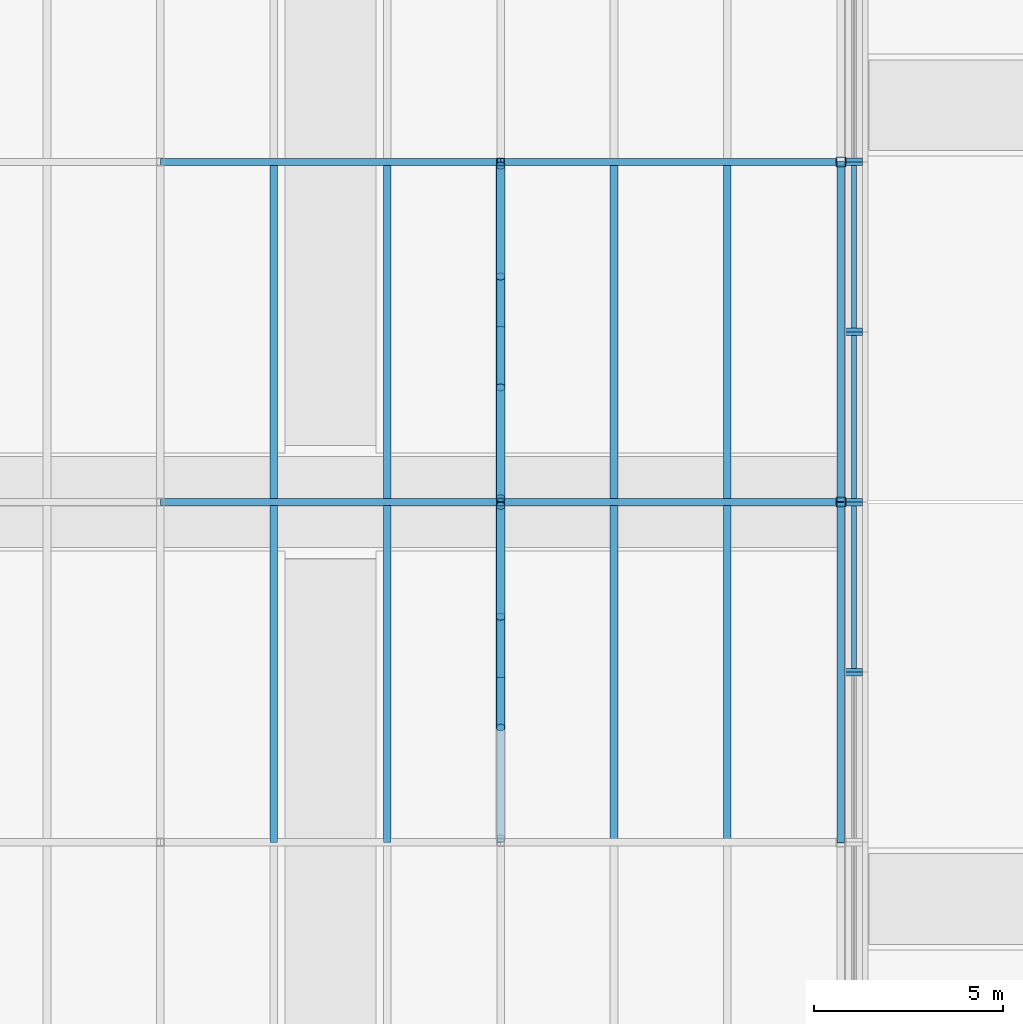
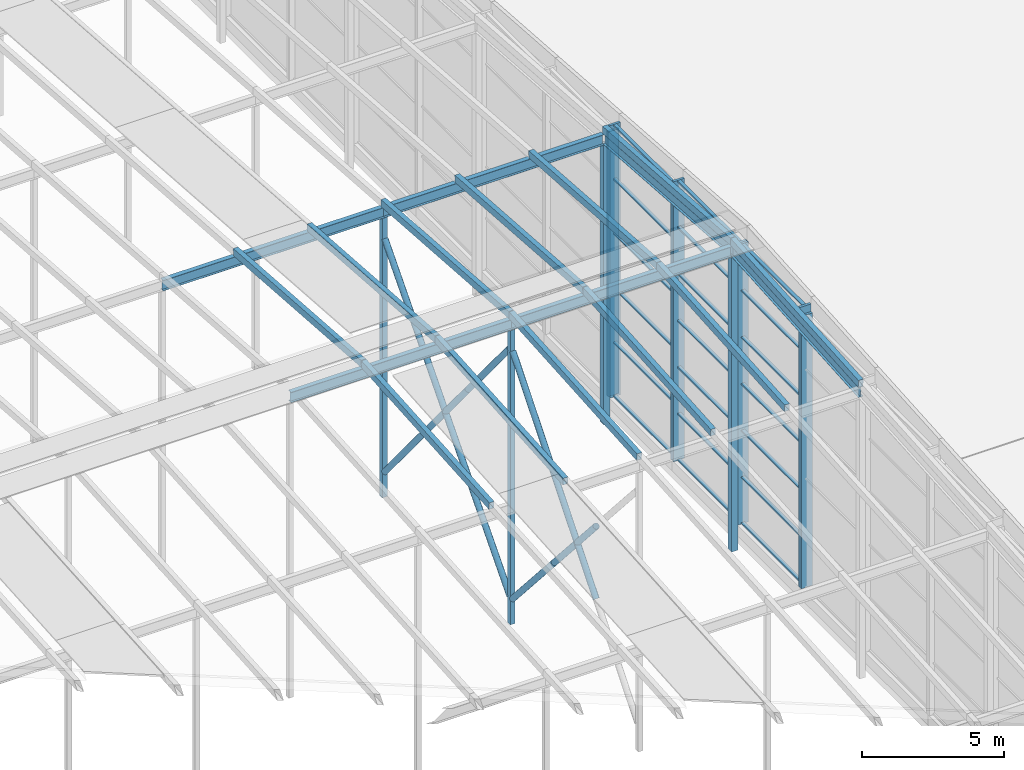
# One storey, part 28 of 84: 54 members, 6 beams, 5 elements without a shape of their own.
"""IFC4 building model written with IfcOpenShell, lengths in metres."""

from ifc_helpers import new_model, si_unit, direction, frame, origin, origin_2d, place, context, subcontext, project, spatial, rectangle, hollow_rectangle, hollow_circle, i_section, extrude, material, material_profile, profile_set, type_object, element, aggregate, save


model = new_model("IFC4")

# Units and contexts
model_context = context("Model", 3, precision=1e-05, world=origin(), true_north=direction((0.0, 1.0)))
body_context = subcontext(model_context, "Body", "Model", "MODEL_VIEW")
ifc_project = project(units=[si_unit("LENGTHUNIT", "METRE"), si_unit("AREAUNIT", "SQUARE_METRE"), si_unit("VOLUMEUNIT", "CUBIC_METRE"), si_unit("PLANEANGLEUNIT", "RADIAN"), si_unit("MASSUNIT", "GRAM", prefix="KILO")], contexts=[model_context])

# Site, building, storey
site_placement = place(None, origin())
site = spatial("IfcSite", under=ifc_project, at=site_placement, CompositionType="ELEMENT")
building_placement = place(site_placement, origin())
building = spatial("IfcBuilding", under=site, at=building_placement, Name="Silverbay Arena", CompositionType="ELEMENT")
storey_placement = place(building_placement, frame((0.0, 0.0, 47.10009765625)))
storey = spatial("IfcBuildingStorey", under=building, at=storey_placement, Name="ROOF", CompositionType="ELEMENT", Elevation=47.10009765625)

# Curtain wall, member
ifc_material_1 = material(Name="Aluminium framed glazing", Category="aluminium")
curtain_wall_type_1 = type_object("IfcCurtainWallType", Name="Curtain wall crown 4500 x 11700", PredefinedType="NOTDEFINED", material=ifc_material_1)
curtain_wall_1_placement = place(storey_placement, origin())
curtain_wall_1 = element("IfcCurtainWall", 1, at=curtain_wall_1_placement, inside=storey, type_object=curtain_wall_type_1, Name="ROOF CROWN CURTAIN WALL east bay 12", PredefinedType="NOTDEFINED")
ifc_material_2 = material(Name="Aluminium", Category="aluminium")
ifc_material_profile_1 = material_profile(ifc_material_2, rectangle(XDim=0.449951171875, YDim=0.10009765625, at=origin_2d()), Name="Mullion 100 x 450")
ifc_profile_set_1 = profile_set([ifc_material_profile_1], Name="Aluminium")
member_type_1 = type_object("IfcMemberType", Name="Mullion 100 x 450", PredefinedType="MULLION", material=ifc_profile_set_1)
placement = place(building_placement, frame((0.0, 0.0, 33.5)))
member_1_placement = place(placement, frame((180.35009765625, 76.449951171875, 14.050048828125), z_axis=(0.0, 0.0, 1.0), x_axis=(-1.0, 0.0, 0.0)))
member_1 = element("IfcMember", 2, at=member_1_placement, type_object=member_type_1, Name="CW74 mullion 2", PredefinedType="MULLION", context=body_context, shape_type="SweptSolid", body=[
    extrude(rectangle(XDim=0.449951171875, YDim=0.10009765625, at=origin_2d()), origin(), (0.0, 0.0, 1.0), 11.699951171875),
])
aggregate(curtain_wall_1, [member_1])

# Curtain wall, members
ifc_material_3 = material(Name="Aluminium framed glazing", Category="aluminium")
curtain_wall_type_2 = type_object("IfcCurtainWallType", Name="Curtain wall crown 4500 x 12025", PredefinedType="NOTDEFINED", material=ifc_material_3)
curtain_wall_2_placement = place(storey_placement, origin())
curtain_wall_2 = element("IfcCurtainWall", 3, at=curtain_wall_2_placement, inside=storey, type_object=curtain_wall_type_2, Name="ROOF CROWN CURTAIN WALL east bay 13", PredefinedType="NOTDEFINED")
member_2_placement = place(placement, frame((180.35009765625, 76.550048828125, 14.050048828125), z_axis=(0.0, 0.0, 1.0), x_axis=(-1.0, 0.0, 0.0)))
member_2 = element("IfcMember", 4, at=member_2_placement, type_object=member_type_1, Name="CW75 mullion 1", PredefinedType="MULLION", context=body_context, shape_type="SweptSolid", body=[
    extrude(rectangle(XDim=0.449951171875, YDim=0.10009765625, at=origin_2d()), origin(), (0.0, 0.0, 1.0), 12.02490234375),
])
member_3_placement = place(placement, frame((180.35009765625, 80.949951171875, 14.050048828125), z_axis=(0.0, 0.0, 1.0), x_axis=(-1.0, 0.0, 0.0)))
member_3 = element("IfcMember", 5, at=member_3_placement, type_object=member_type_1, Name="CW75 mullion 2", PredefinedType="MULLION", context=body_context, shape_type="SweptSolid", body=[
    extrude(rectangle(XDim=0.449951171875, YDim=0.10009765625, at=origin_2d()), origin(), (0.0, 0.0, 1.0), 12.02490234375),
])

curtain_wall_3_placement = place(storey_placement, origin())
curtain_wall_3 = element("IfcCurtainWall", 6, at=curtain_wall_3_placement, inside=storey, type_object=curtain_wall_type_2, Name="ROOF CROWN CURTAIN WALL east bay 14", PredefinedType="NOTDEFINED")
member_4_placement = place(placement, frame((180.35009765625, 81.050048828125, 14.050048828125), z_axis=(0.0, 0.0, 1.0), x_axis=(-1.0, 0.0, 0.0)))
member_4 = element("IfcMember", 7, at=member_4_placement, type_object=member_type_1, Name="CW75 mullion 1", PredefinedType="MULLION", context=body_context, shape_type="SweptSolid", body=[
    extrude(rectangle(XDim=0.449951171875, YDim=0.10009765625, at=origin_2d()), origin(), (0.0, 0.0, 1.0), 12.02490234375),
])
member_5_placement = place(placement, frame((180.35009765625, 85.449951171875, 14.050048828125), z_axis=(0.0, 0.0, 1.0), x_axis=(-1.0, 0.0, 0.0)))
member_5 = element("IfcMember", 8, at=member_5_placement, type_object=member_type_1, Name="CW75 mullion 2", PredefinedType="MULLION", context=body_context, shape_type="SweptSolid", body=[
    extrude(rectangle(XDim=0.449951171875, YDim=0.10009765625, at=origin_2d()), origin(), (0.0, 0.0, 1.0), 12.02490234375),
])

curtain_wall_4_placement = place(storey_placement, origin())
curtain_wall_4 = element("IfcCurtainWall", 9, at=curtain_wall_4_placement, inside=storey, type_object=curtain_wall_type_1, Name="ROOF CROWN CURTAIN WALL east bay 15", PredefinedType="NOTDEFINED")
member_6_placement = place(placement, frame((180.35009765625, 85.550048828125, 14.050048828125), z_axis=(0.0, 0.0, 1.0), x_axis=(-1.0, 0.0, 0.0)))
member_6 = element("IfcMember", 10, at=member_6_placement, type_object=member_type_1, Name="CW74 mullion 1", PredefinedType="MULLION", context=body_context, shape_type="SweptSolid", body=[
    extrude(rectangle(XDim=0.449951171875, YDim=0.10009765625, at=origin_2d()), origin(), (0.0, 0.0, 1.0), 11.699951171875),
])
member_7_placement = place(placement, frame((180.35009765625, 89.949951171875, 14.050048828125), z_axis=(0.0, 0.0, 1.0), x_axis=(-1.0, 0.0, 0.0)))
member_7 = element("IfcMember", 11, at=member_7_placement, type_object=member_type_1, Name="CW74 mullion 2", PredefinedType="MULLION", context=body_context, shape_type="SweptSolid", body=[
    extrude(rectangle(XDim=0.449951171875, YDim=0.10009765625, at=origin_2d()), origin(), (0.0, 0.0, 1.0), 11.699951171875),
])

# Curtain wall, member
ifc_material_4 = material(Name="Aluminium framed glazing", Category="aluminium")
curtain_wall_type_3 = type_object("IfcCurtainWallType", Name="Curtain wall crown 4500 x 11375", PredefinedType="NOTDEFINED", material=ifc_material_4)
curtain_wall_5_placement = place(storey_placement, origin())
curtain_wall_5 = element("IfcCurtainWall", 12, at=curtain_wall_5_placement, inside=storey, type_object=curtain_wall_type_3, Name="ROOF CROWN CURTAIN WALL east bay 16", PredefinedType="NOTDEFINED")
member_8_placement = place(placement, frame((180.35009765625, 90.050048828125, 14.050048828125), z_axis=(0.0, 0.0, 1.0), x_axis=(-1.0, 0.0, 0.0)))
member_8 = element("IfcMember", 13, at=member_8_placement, type_object=member_type_1, Name="CW73 mullion 1", PredefinedType="MULLION", context=body_context, shape_type="SweptSolid", body=[
    extrude(rectangle(XDim=0.449951171875, YDim=0.10009765625, at=origin_2d()), origin(), (0.0, 0.0, 1.0), 11.375),
])
aggregate(curtain_wall_5, [member_8])

# Members
ifc_material_5 = material(Name="Steel S355", Category="steel")
ifc_material_profile_2 = material_profile(ifc_material_5, hollow_rectangle(XDim=0.199951171875, YDim=0.300048828125, WallThickness=0.00634765625, at=origin_2d()), Name="RHS 300x200x6.3")
ifc_profile_set_2 = profile_set([ifc_material_profile_2], Name="Steel S355")
member_type_2 = type_object("IfcMemberType", Name="Purlin RHS 300x200x6.3", PredefinedType="PURLIN", material=ifc_profile_set_2)
for number, where, z_axis, x_axis, name in (
    (14, (165.0, 72.0, 11.99951171875), (0.0, 0.997402911363, 0.072023832195), (-1.0, 0.0, 0.0), "ROOF PURLIN crown line 29 bay 06"),
    (15, (165.0, 81.0, 12.6494140625), (0.0, 0.997402911363, -0.072023832195), (-1.0, 0.0, 0.0), "ROOF PURLIN crown line 29 bay 07"),
    (16, (168.0, 72.0, 11.99951171875), (0.0, 0.997402911363, 0.072023832195), (-1.0, 0.0, 0.0), "ROOF PURLIN crown line 30 bay 06"),
    (17, (168.0, 81.0, 12.6494140625), (0.0, 0.997402911363, -0.072023832195), (-1.0, 0.0, 0.0), "ROOF PURLIN crown line 30 bay 07"),
    (18, (171.0, 72.0, 11.99951171875), (0.0, 0.997402911363, 0.072023832195), (-1.0, 0.0, 0.0), "ROOF PURLIN crown line 31 bay 06"),
    (19, (171.0, 81.0, 12.6494140625), (0.0, 0.997402911363, -0.072023832195), (-1.0, 0.0, 0.0), "ROOF PURLIN crown line 31 bay 07"),
    (20, (174.0, 72.0, 11.99951171875), (0.0, 0.997402911363, 0.072023832195), (-1.0, 0.0, 0.0), "ROOF PURLIN crown line 32 bay 06"),
    (21, (174.0, 81.0, 12.6494140625), (0.0, 0.997402911363, -0.072023832195), (-1.0, 0.0, 0.0), "ROOF PURLIN crown line 32 bay 07"),
    (22, (177.0, 72.0, 11.99951171875), (0.0, 0.997402911363, 0.072023832195), (-1.0, 0.0, 0.0), "ROOF PURLIN crown line 33 bay 06"),
    (23, (177.0, 81.0, 12.6494140625), (0.0, 0.997402911363, -0.072023832195), (-1.0, 0.0, 0.0), "ROOF PURLIN crown line 33 bay 07"),
):
    element("IfcMember", number, at=place(storey_placement, frame(where, z_axis=z_axis, x_axis=x_axis)), inside=storey, type_object=member_type_2, Name=name, PredefinedType="PURLIN", context=body_context, shape_type="SweptSolid", body=[
        extrude(hollow_rectangle(XDim=0.199951171875, YDim=0.300048828125, WallThickness=0.00634765625, at=origin_2d()), origin(), (0.0, 0.0, 1.0), 9.0234375),
    ])
ifc_material_6 = material(Name="Steel S355", Category="steel")
ifc_material_profile_3 = material_profile(ifc_material_6, hollow_rectangle(XDim=0.199951171875, YDim=0.300048828125, WallThickness=0.008056640625, at=origin_2d()), Name="RHS 300x200x8")
ifc_profile_set_3 = profile_set([ifc_material_profile_3], Name="Steel S355")
member_type_3 = type_object("IfcMemberType", Name="Purlin RHS 300x200x8", PredefinedType="PURLIN", material=ifc_profile_set_3)
for number, where, z_axis, x_axis, name in (
    (24, (180.0, 72.0, 11.99951171875), (0.0, 0.997402911363, 0.072023832195), (-1.0, 0.0, 0.0), "ROOF PURLIN crown line 34 bay 06"),
    (25, (180.0, 81.0, 12.6494140625), (0.0, 0.997402911363, -0.072023832195), (-1.0, 0.0, 0.0), "ROOF PURLIN crown line 34 bay 07"),
):
    element("IfcMember", number, at=place(storey_placement, frame(where, z_axis=z_axis, x_axis=x_axis)), inside=storey, type_object=member_type_3, Name=name, PredefinedType="PURLIN", context=body_context, shape_type="SweptSolid", body=[
        extrude(hollow_rectangle(XDim=0.199951171875, YDim=0.300048828125, WallThickness=0.008056640625, at=origin_2d()), origin(), (0.0, 0.0, 1.0), 9.0234375),
    ])

# Beams
ifc_material_7 = material(Name="Steel S355", Category="steel")
ifc_material_profile_4 = material_profile(ifc_material_7, i_section(OverallWidth=0.18994140625, OverallDepth=0.453369140625, WebThickness=0.008544921875, FlangeThickness=0.0126953125, at=origin_2d()), Name="UB 457x191x67")
ifc_profile_set_4 = profile_set([ifc_material_profile_4], Name="Steel S355")
beam_type = type_object("IfcBeamType", Name="Ring beam UB 457x191x67", PredefinedType="BEAM", material=ifc_profile_set_4)
beam_1_placement = place(storey_placement, frame((162.0, 81.0, 12.2724609375), z_axis=(1.0, 0.0, 0.0), x_axis=(0.0, 1.0, 0.0)))
element("IfcBeam", 26, at=beam_1_placement, inside=storey, type_object=beam_type, Name="RING BEAM crown row 07 19-20", PredefinedType="BEAM", context=body_context, shape_type="SweptSolid", body=[
    extrude(i_section(OverallWidth=0.18994140625, OverallDepth=0.453369140625, WebThickness=0.008544921875, FlangeThickness=0.0126953125, at=origin_2d()), origin(), (0.0, 0.0, 1.0), 9.0),
])
beam_2_placement = place(storey_placement, frame((171.0, 81.0, 12.2724609375), z_axis=(1.0, 0.0, 0.0), x_axis=(0.0, 1.0, 0.0)))
element("IfcBeam", 27, at=beam_2_placement, inside=storey, type_object=beam_type, Name="RING BEAM crown row 07 20-21", PredefinedType="BEAM", context=body_context, shape_type="SweptSolid", body=[
    extrude(i_section(OverallWidth=0.18994140625, OverallDepth=0.453369140625, WebThickness=0.008544921875, FlangeThickness=0.0126953125, at=origin_2d()), origin(), (0.0, 0.0, 1.0), 8.905029296875),
])
beam_3_placement = place(storey_placement, frame((162.0, 90.0, 11.622314453125), z_axis=(1.0, 0.0, 0.0), x_axis=(0.0, 1.0, 0.0)))
element("IfcBeam", 28, at=beam_3_placement, inside=storey, type_object=beam_type, Name="RING BEAM crown row 08 19-20", PredefinedType="BEAM", context=body_context, shape_type="SweptSolid", body=[
    extrude(i_section(OverallWidth=0.18994140625, OverallDepth=0.453369140625, WebThickness=0.008544921875, FlangeThickness=0.0126953125, at=origin_2d()), origin(), (0.0, 0.0, 1.0), 9.0),
])
beam_4_placement = place(storey_placement, frame((171.0, 90.0, 11.622314453125), z_axis=(1.0, 0.0, 0.0), x_axis=(0.0, 1.0, 0.0)))
element("IfcBeam", 29, at=beam_4_placement, inside=storey, type_object=beam_type, Name="RING BEAM crown row 08 20-21", PredefinedType="BEAM", context=body_context, shape_type="SweptSolid", body=[
    extrude(i_section(OverallWidth=0.18994140625, OverallDepth=0.453369140625, WebThickness=0.008544921875, FlangeThickness=0.0126953125, at=origin_2d()), origin(), (0.0, 0.0, 1.0), 8.905029296875),
])
for number, where, z_axis, x_axis, name in (
    (30, (180.0, 72.0, 11.622314453125), (0.0, 0.997400967367, 0.07205074805), (-1.0, 0.0, 0.0), "RING BEAM crown east edge 06"),
    (31, (180.0, 81.0, 12.2724609375), (0.0, 0.997400967367, -0.07205074805), (-1.0, 0.0, 0.0), "RING BEAM crown east edge 07"),
):
    element("IfcBeam", number, at=place(storey_placement, frame(where, z_axis=z_axis, x_axis=x_axis)), inside=storey, type_object=beam_type, Name=name, PredefinedType="BEAM", context=body_context, shape_type="SweptSolid", body=[
        extrude(i_section(OverallWidth=0.18994140625, OverallDepth=0.453369140625, WebThickness=0.008544921875, FlangeThickness=0.0126953125, at=origin_2d()), origin(), (0.0, 0.0, 1.0), 9.0234375),
    ])

# Members
ifc_material_8 = material(Name="Steel S355", Category="steel")
ifc_material_profile_5 = material_profile(ifc_material_8, hollow_rectangle(XDim=0.199951171875, YDim=0.199951171875, WallThickness=0.008056640625, at=origin_2d()), Name="SHS 200x200x8")
ifc_profile_set_5 = profile_set([ifc_material_profile_5], Name="Steel S355")
member_type_4 = type_object("IfcMemberType", Name="Roof post SHS 200x200x8", PredefinedType="POST", material=ifc_profile_set_5)
member_9_placement = place(storey_placement, frame((171.0, 81.0, -0.60009765625), z_axis=(0.0, 0.0, 1.0), x_axis=(1.0, 0.0, 0.0)))
element("IfcMember", 32, at=member_9_placement, inside=storey, type_object=member_type_4, Name="ROOF CROWN POST 20 row 07", PredefinedType="POST", context=body_context, shape_type="SweptSolid", body=[
    extrude(hollow_rectangle(XDim=0.199951171875, YDim=0.199951171875, WallThickness=0.008056640625, at=origin_2d()), origin(), (0.0, 0.0, 1.0), 12.645751953125),
])
member_10_placement = place(storey_placement, frame((171.0, 90.0, -0.60009765625), z_axis=(0.0, 0.0, 1.0), x_axis=(1.0, 0.0, 0.0)))
element("IfcMember", 33, at=member_10_placement, inside=storey, type_object=member_type_4, Name="ROOF CROWN POST 20 row 08", PredefinedType="POST", context=body_context, shape_type="SweptSolid", body=[
    extrude(hollow_rectangle(XDim=0.199951171875, YDim=0.199951171875, WallThickness=0.008056640625, at=origin_2d()), origin(), (0.0, 0.0, 1.0), 11.995849609375),
])
ifc_material_9 = material(Name="Steel S355", Category="steel")
ifc_material_profile_6 = material_profile(ifc_material_9, hollow_rectangle(XDim=0.25, YDim=0.25, WallThickness=0.008056640625, at=origin_2d()), Name="SHS 250x250x8")
ifc_profile_set_6 = profile_set([ifc_material_profile_6], Name="Steel S355")
member_type_5 = type_object("IfcMemberType", Name="Roof post SHS 250x250x8", PredefinedType="POST", material=ifc_profile_set_6)
member_11_placement = place(storey_placement, frame((180.0, 81.0, -0.60009765625), z_axis=(0.0, 0.0, 1.0), x_axis=(1.0, 0.0, 0.0)))
element("IfcMember", 34, at=member_11_placement, inside=storey, type_object=member_type_5, Name="ROOF CROWN POST 21 row 07", PredefinedType="POST", context=body_context, shape_type="SweptSolid", body=[
    extrude(hollow_rectangle(XDim=0.25, YDim=0.25, WallThickness=0.008056640625, at=origin_2d()), origin(), (0.0, 0.0, 1.0), 12.645751953125),
])
member_12_placement = place(storey_placement, frame((180.0, 90.0, -0.60009765625), z_axis=(0.0, 0.0, 1.0), x_axis=(1.0, 0.0, 0.0)))
element("IfcMember", 35, at=member_12_placement, inside=storey, type_object=member_type_5, Name="ROOF CROWN POST 21 row 08", PredefinedType="POST", context=body_context, shape_type="SweptSolid", body=[
    extrude(hollow_rectangle(XDim=0.25, YDim=0.25, WallThickness=0.008056640625, at=origin_2d()), origin(), (0.0, 0.0, 1.0), 11.995849609375),
])

# Member
ifc_material_10 = material(Name="Aluminium", Category="aluminium")
ifc_material_profile_7 = material_profile(ifc_material_10, rectangle(XDim=0.139892578125, YDim=0.06005859375, at=origin_2d()), Name="Transom 60 x 140")
ifc_profile_set_7 = profile_set([ifc_material_profile_7], Name="Aluminium")
member_type_6 = type_object("IfcMemberType", Name="Transom 60 x 140", PredefinedType="USERDEFINED", material=ifc_profile_set_7)
member_13_placement = place(placement, frame((180.35009765625, 76.60009765625, 14.080078125), z_axis=(0.0, 1.0, 0.0), x_axis=(-1.0, 0.0, 0.0)))
member_13 = element("IfcMember", 36, at=member_13_placement, type_object=member_type_6, Name="CW75 transom 1.1", ObjectType="TRANSOM", PredefinedType="USERDEFINED", context=body_context, shape_type="SweptSolid", body=[
    extrude(rectangle(XDim=0.139892578125, YDim=0.06005859375, at=origin_2d()), origin(), (0.0, 0.0, 1.0), 4.2998046875),
])

member_14_placement = place(placement, frame((180.35009765625, 76.60009765625, 16.05419921875), z_axis=(0.0, 1.0, 0.0), x_axis=(-1.0, 0.0, 0.0)))
member_14 = element("IfcMember", 37, at=member_14_placement, type_object=member_type_6, Name="CW75 transom 1.2", ObjectType="TRANSOM", PredefinedType="USERDEFINED", context=body_context, shape_type="SweptSolid", body=[
    extrude(rectangle(XDim=0.139892578125, YDim=0.06005859375, at=origin_2d()), origin(), (0.0, 0.0, 1.0), 4.2998046875),
])

member_15_placement = place(placement, frame((180.35009765625, 76.60009765625, 18.058349609375), z_axis=(0.0, 1.0, 0.0), x_axis=(-1.0, 0.0, 0.0)))
member_15 = element("IfcMember", 38, at=member_15_placement, type_object=member_type_6, Name="CW75 transom 1.3", ObjectType="TRANSOM", PredefinedType="USERDEFINED", context=body_context, shape_type="SweptSolid", body=[
    extrude(rectangle(XDim=0.139892578125, YDim=0.06005859375, at=origin_2d()), origin(), (0.0, 0.0, 1.0), 4.2998046875),
])

member_16_placement = place(placement, frame((180.35009765625, 76.60009765625, 20.0625), z_axis=(0.0, 1.0, 0.0), x_axis=(-1.0, 0.0, 0.0)))
member_16 = element("IfcMember", 39, at=member_16_placement, type_object=member_type_6, Name="CW75 transom 1.4", ObjectType="TRANSOM", PredefinedType="USERDEFINED", context=body_context, shape_type="SweptSolid", body=[
    extrude(rectangle(XDim=0.139892578125, YDim=0.06005859375, at=origin_2d()), origin(), (0.0, 0.0, 1.0), 4.2998046875),
])

member_17_placement = place(placement, frame((180.35009765625, 76.60009765625, 22.066650390625), z_axis=(0.0, 1.0, 0.0), x_axis=(-1.0, 0.0, 0.0)))
member_17 = element("IfcMember", 40, at=member_17_placement, type_object=member_type_6, Name="CW75 transom 1.5", ObjectType="TRANSOM", PredefinedType="USERDEFINED", context=body_context, shape_type="SweptSolid", body=[
    extrude(rectangle(XDim=0.139892578125, YDim=0.06005859375, at=origin_2d()), origin(), (0.0, 0.0, 1.0), 4.2998046875),
])

member_18_placement = place(placement, frame((180.35009765625, 76.60009765625, 24.07080078125), z_axis=(0.0, 1.0, 0.0), x_axis=(-1.0, 0.0, 0.0)))
member_18 = element("IfcMember", 41, at=member_18_placement, type_object=member_type_6, Name="CW75 transom 1.6", ObjectType="TRANSOM", PredefinedType="USERDEFINED", context=body_context, shape_type="SweptSolid", body=[
    extrude(rectangle(XDim=0.139892578125, YDim=0.06005859375, at=origin_2d()), origin(), (0.0, 0.0, 1.0), 4.2998046875),
])

member_19_placement = place(placement, frame((180.35009765625, 76.60009765625, 26.044921875), z_axis=(0.0, 1.0, 0.0), x_axis=(-1.0, 0.0, 0.0)))
member_19 = element("IfcMember", 42, at=member_19_placement, type_object=member_type_6, Name="CW75 transom 1.7", ObjectType="TRANSOM", PredefinedType="USERDEFINED", context=body_context, shape_type="SweptSolid", body=[
    extrude(rectangle(XDim=0.139892578125, YDim=0.06005859375, at=origin_2d()), origin(), (0.0, 0.0, 1.0), 4.2998046875),
])

aggregate(curtain_wall_2, [member_2, member_3, member_13, member_14, member_15, member_16, member_17, member_18, member_19])

member_20_placement = place(placement, frame((180.35009765625, 81.10009765625, 14.080078125), z_axis=(0.0, 1.0, 0.0), x_axis=(-1.0, 0.0, 0.0)))
member_20 = element("IfcMember", 43, at=member_20_placement, type_object=member_type_6, Name="CW75 transom 1.1", ObjectType="TRANSOM", PredefinedType="USERDEFINED", context=body_context, shape_type="SweptSolid", body=[
    extrude(rectangle(XDim=0.139892578125, YDim=0.06005859375, at=origin_2d()), origin(), (0.0, 0.0, 1.0), 4.2998046875),
])

member_21_placement = place(placement, frame((180.35009765625, 81.10009765625, 16.05419921875), z_axis=(0.0, 1.0, 0.0), x_axis=(-1.0, 0.0, 0.0)))
member_21 = element("IfcMember", 44, at=member_21_placement, type_object=member_type_6, Name="CW75 transom 1.2", ObjectType="TRANSOM", PredefinedType="USERDEFINED", context=body_context, shape_type="SweptSolid", body=[
    extrude(rectangle(XDim=0.139892578125, YDim=0.06005859375, at=origin_2d()), origin(), (0.0, 0.0, 1.0), 4.2998046875),
])

member_22_placement = place(placement, frame((180.35009765625, 81.10009765625, 18.058349609375), z_axis=(0.0, 1.0, 0.0), x_axis=(-1.0, 0.0, 0.0)))
member_22 = element("IfcMember", 45, at=member_22_placement, type_object=member_type_6, Name="CW75 transom 1.3", ObjectType="TRANSOM", PredefinedType="USERDEFINED", context=body_context, shape_type="SweptSolid", body=[
    extrude(rectangle(XDim=0.139892578125, YDim=0.06005859375, at=origin_2d()), origin(), (0.0, 0.0, 1.0), 4.2998046875),
])

member_23_placement = place(placement, frame((180.35009765625, 81.10009765625, 20.0625), z_axis=(0.0, 1.0, 0.0), x_axis=(-1.0, 0.0, 0.0)))
member_23 = element("IfcMember", 46, at=member_23_placement, type_object=member_type_6, Name="CW75 transom 1.4", ObjectType="TRANSOM", PredefinedType="USERDEFINED", context=body_context, shape_type="SweptSolid", body=[
    extrude(rectangle(XDim=0.139892578125, YDim=0.06005859375, at=origin_2d()), origin(), (0.0, 0.0, 1.0), 4.2998046875),
])

member_24_placement = place(placement, frame((180.35009765625, 81.10009765625, 22.066650390625), z_axis=(0.0, 1.0, 0.0), x_axis=(-1.0, 0.0, 0.0)))
member_24 = element("IfcMember", 47, at=member_24_placement, type_object=member_type_6, Name="CW75 transom 1.5", ObjectType="TRANSOM", PredefinedType="USERDEFINED", context=body_context, shape_type="SweptSolid", body=[
    extrude(rectangle(XDim=0.139892578125, YDim=0.06005859375, at=origin_2d()), origin(), (0.0, 0.0, 1.0), 4.2998046875),
])

member_25_placement = place(placement, frame((180.35009765625, 81.10009765625, 24.07080078125), z_axis=(0.0, 1.0, 0.0), x_axis=(-1.0, 0.0, 0.0)))
member_25 = element("IfcMember", 48, at=member_25_placement, type_object=member_type_6, Name="CW75 transom 1.6", ObjectType="TRANSOM", PredefinedType="USERDEFINED", context=body_context, shape_type="SweptSolid", body=[
    extrude(rectangle(XDim=0.139892578125, YDim=0.06005859375, at=origin_2d()), origin(), (0.0, 0.0, 1.0), 4.2998046875),
])

member_26_placement = place(placement, frame((180.35009765625, 81.10009765625, 26.044921875), z_axis=(0.0, 1.0, 0.0), x_axis=(-1.0, 0.0, 0.0)))
member_26 = element("IfcMember", 49, at=member_26_placement, type_object=member_type_6, Name="CW75 transom 1.7", ObjectType="TRANSOM", PredefinedType="USERDEFINED", context=body_context, shape_type="SweptSolid", body=[
    extrude(rectangle(XDim=0.139892578125, YDim=0.06005859375, at=origin_2d()), origin(), (0.0, 0.0, 1.0), 4.2998046875),
])

aggregate(curtain_wall_3, [member_4, member_5, member_20, member_21, member_22, member_23, member_24, member_25, member_26])

member_27_placement = place(placement, frame((180.35009765625, 85.60009765625, 14.080078125), z_axis=(0.0, 1.0, 0.0), x_axis=(-1.0, 0.0, 0.0)))
member_27 = element("IfcMember", 50, at=member_27_placement, type_object=member_type_6, Name="CW74 transom 1.1", ObjectType="TRANSOM", PredefinedType="USERDEFINED", context=body_context, shape_type="SweptSolid", body=[
    extrude(rectangle(XDim=0.139892578125, YDim=0.06005859375, at=origin_2d()), origin(), (0.0, 0.0, 1.0), 4.2998046875),
])

member_28_placement = place(placement, frame((180.35009765625, 85.60009765625, 16.389892578125), z_axis=(0.0, 1.0, 0.0), x_axis=(-1.0, 0.0, 0.0)))
member_28 = element("IfcMember", 51, at=member_28_placement, type_object=member_type_6, Name="CW74 transom 1.2", ObjectType="TRANSOM", PredefinedType="USERDEFINED", context=body_context, shape_type="SweptSolid", body=[
    extrude(rectangle(XDim=0.139892578125, YDim=0.06005859375, at=origin_2d()), origin(), (0.0, 0.0, 1.0), 4.2998046875),
])

member_29_placement = place(placement, frame((180.35009765625, 85.60009765625, 18.72998046875), z_axis=(0.0, 1.0, 0.0), x_axis=(-1.0, 0.0, 0.0)))
member_29 = element("IfcMember", 52, at=member_29_placement, type_object=member_type_6, Name="CW74 transom 1.3", ObjectType="TRANSOM", PredefinedType="USERDEFINED", context=body_context, shape_type="SweptSolid", body=[
    extrude(rectangle(XDim=0.139892578125, YDim=0.06005859375, at=origin_2d()), origin(), (0.0, 0.0, 1.0), 4.2998046875),
])

member_30_placement = place(placement, frame((180.35009765625, 85.60009765625, 21.070068359375), z_axis=(0.0, 1.0, 0.0), x_axis=(-1.0, 0.0, 0.0)))
member_30 = element("IfcMember", 53, at=member_30_placement, type_object=member_type_6, Name="CW74 transom 1.4", ObjectType="TRANSOM", PredefinedType="USERDEFINED", context=body_context, shape_type="SweptSolid", body=[
    extrude(rectangle(XDim=0.139892578125, YDim=0.06005859375, at=origin_2d()), origin(), (0.0, 0.0, 1.0), 4.2998046875),
])

member_31_placement = place(placement, frame((180.35009765625, 85.60009765625, 23.409912109375), z_axis=(0.0, 1.0, 0.0), x_axis=(-1.0, 0.0, 0.0)))
member_31 = element("IfcMember", 54, at=member_31_placement, type_object=member_type_6, Name="CW74 transom 1.5", ObjectType="TRANSOM", PredefinedType="USERDEFINED", context=body_context, shape_type="SweptSolid", body=[
    extrude(rectangle(XDim=0.139892578125, YDim=0.06005859375, at=origin_2d()), origin(), (0.0, 0.0, 1.0), 4.2998046875),
])

member_32_placement = place(placement, frame((180.35009765625, 85.60009765625, 25.719970703125), z_axis=(0.0, 1.0, 0.0), x_axis=(-1.0, 0.0, 0.0)))
member_32 = element("IfcMember", 55, at=member_32_placement, type_object=member_type_6, Name="CW74 transom 1.6", ObjectType="TRANSOM", PredefinedType="USERDEFINED", context=body_context, shape_type="SweptSolid", body=[
    extrude(rectangle(XDim=0.139892578125, YDim=0.06005859375, at=origin_2d()), origin(), (0.0, 0.0, 1.0), 4.2998046875),
])

aggregate(curtain_wall_4, [member_6, member_7, member_27, member_28, member_29, member_30, member_31, member_32])

# Members
ifc_material_11 = material(Name="Steel S355", Category="steel")
ifc_material_profile_8 = material_profile(ifc_material_11, hollow_circle(Radius=0.122314453125, WallThickness=0.00634765625, at=origin_2d()), Name="CHS 244.5x6.3")
ifc_profile_set_8 = profile_set([ifc_material_profile_8], Name="Steel S355")
member_type_7 = type_object("IfcMemberType", Name="Vertical bracing CHS 244.5x6.3", PredefinedType="BRACE", material=ifc_profile_set_8)
for number, where, z_axis, x_axis, name in (
    (56, (171.0, 75.033447265625, 4.046142578125), (0.0, 0.637357057866, 0.770568608748), (-1.0, 0.0, 0.0), "ROOF CROWN BRACING E bay 06 Ab"),
    (57, (171.0, 77.966552734375, 7.59228515625), (0.0, 0.637388556794, 0.770542554093), (-1.0, 0.0, 0.0), "ROOF CROWN BRACING E bay 06 Ac"),
):
    element("IfcMember", number, at=place(storey_placement, frame(where, z_axis=z_axis, x_axis=x_axis)), inside=storey, type_object=member_type_7, Name=name, PredefinedType="BRACE", context=body_context, shape_type="SweptSolid", body=[
        extrude(hollow_circle(Radius=0.122314453125, WallThickness=0.00634765625, at=origin_2d()), origin(), (0.0, 0.0, 1.0), 4.60205078125),
    ])
for number, where, z_axis, x_axis, name in (
    (58, (171.0, 75.033447265625, 7.168701171875), (0.0, 0.660471729298, -0.750850913829), (-1.0, 0.0, 0.0), "ROOF CROWN BRACING E bay 06 Bb"),
    (59, (171.0, 77.966552734375, 3.834228515625), (0.0, 0.660529984399, -0.750799666828), (-1.0, 0.0, 0.0), "ROOF CROWN BRACING E bay 06 Bc"),
    (60, (171.0, 81.10009765625, 0.5), (0.0, 0.660529984399, 0.750799666828), (-1.0, 0.0, 0.0), "ROOF CROWN BRACING E bay 07 Aa"),
    (61, (171.0, 84.033447265625, 3.834228515625), (0.0, 0.660471729298, 0.750850913829), (-1.0, 0.0, 0.0), "ROOF CROWN BRACING E bay 07 Ab"),
    (62, (171.0, 86.966552734375, 7.168701171875), (0.0, 0.660529984399, 0.750799666828), (-1.0, 0.0, 0.0), "ROOF CROWN BRACING E bay 07 Ac"),
):
    element("IfcMember", number, at=place(storey_placement, frame(where, z_axis=z_axis, x_axis=x_axis)), inside=storey, type_object=member_type_7, Name=name, PredefinedType="BRACE", context=body_context, shape_type="SweptSolid", body=[
        extrude(hollow_circle(Radius=0.122314453125, WallThickness=0.00634765625, at=origin_2d()), origin(), (0.0, 0.0, 1.0), 4.44091796875),
    ])
for number, where, z_axis, x_axis, name in (
    (63, (171.0, 81.10009765625, 11.138427734375), (0.0, 0.637388556794, -0.770542554093), (-1.0, 0.0, 0.0), "ROOF CROWN BRACING E bay 07 Ba"),
    (64, (171.0, 84.033447265625, 7.59228515625), (0.0, 0.637357057866, -0.770568608748), (-1.0, 0.0, 0.0), "ROOF CROWN BRACING E bay 07 Bb"),
    (65, (171.0, 86.966552734375, 4.046142578125), (0.0, 0.637388556794, -0.770542554093), (-1.0, 0.0, 0.0), "ROOF CROWN BRACING E bay 07 Bc"),
):
    element("IfcMember", number, at=place(storey_placement, frame(where, z_axis=z_axis, x_axis=x_axis)), inside=storey, type_object=member_type_7, Name=name, PredefinedType="BRACE", context=body_context, shape_type="SweptSolid", body=[
        extrude(hollow_circle(Radius=0.122314453125, WallThickness=0.00634765625, at=origin_2d()), origin(), (0.0, 0.0, 1.0), 4.60205078125),
    ])

save(model, "model.ifc")
